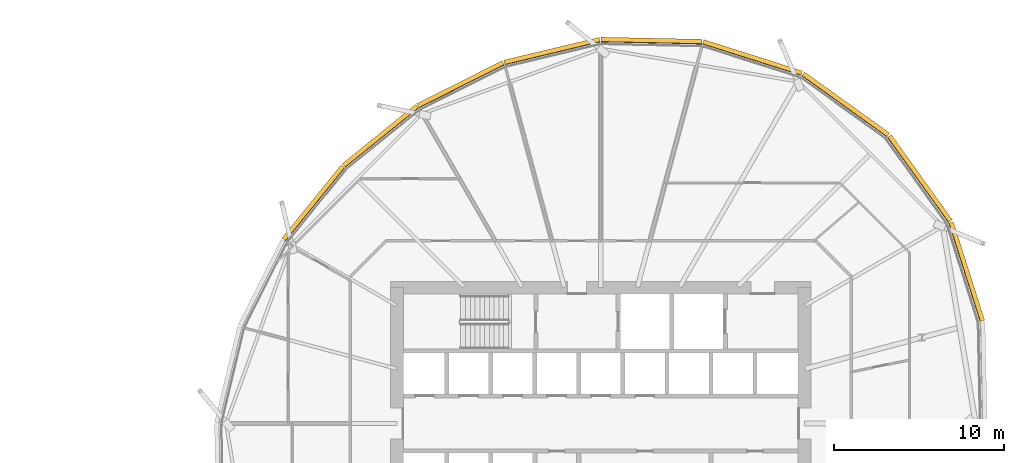
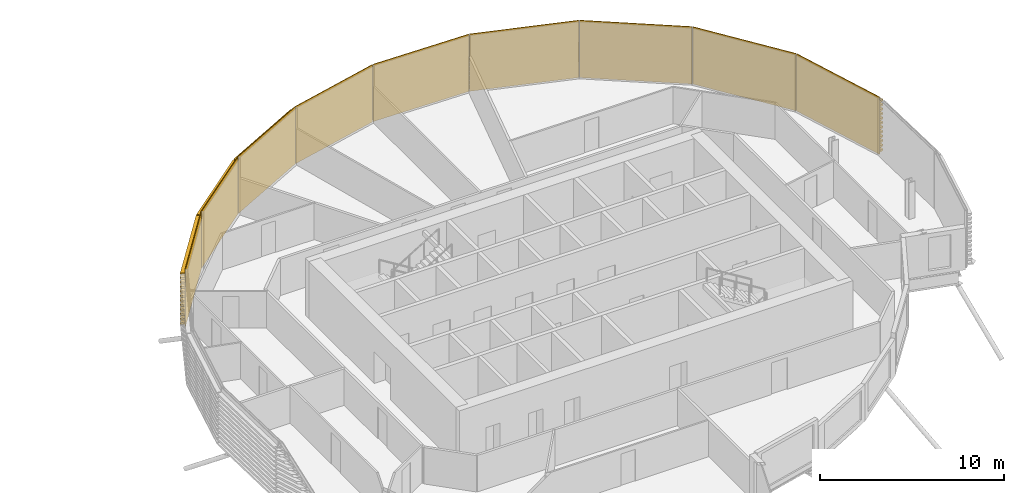
# One storey, part 40 of 40: 9 coverings.
"""IFC4 building model written with IfcOpenShell, lengths in metres."""

import ifcopenshell
import ifcopenshell.guid

model = None  # the IFC model being written
_history = None  # IfcOwnerHistory: only IFC2X3 demands one
_inside = {}  # id of a spatial element -> (the spatial element, [elements in it])
_under = {}  # id of a project, library or spatial element -> (it, [spatial elements below it])
_declared = {}  # id of a project -> (the project, [libraries it declares])
_typed = {}  # id of a type object -> (the type object, [elements of that type])
_made_of = {}  # id of a material, layer set ... -> (it, [elements and type objects made of it])


def new_model(schema):
    """Start an empty IFC model of exactly this schema.

    Asked for "IFC4X3", IfcOpenShell would pick the latest addendum, in which some entities
    have other attributes; the version numbers below select the first issue.
    IFC2X3 requires an IfcOwnerHistory on every rooted entity: one is made here for all.
    """
    global model, _history
    if schema == "IFC4X3":
        model = ifcopenshell.file(schema_version=(4, 3, 0, 0))
    else:
        model = ifcopenshell.file(schema=schema)
    _inside.clear()
    _under.clear()
    _declared.clear()
    _typed.clear()
    _made_of.clear()
    _history = None
    if model.schema == "IFC2X3":
        org = make("IfcOrganization", Name="unknown")
        user = make(
            "IfcPersonAndOrganization",
            ThePerson=make("IfcPerson", FamilyName="unknown"),
            TheOrganization=org,
        )
        app = make(
            "IfcApplication",
            ApplicationDeveloper=org,
            Version="unknown",
            ApplicationFullName="unknown",
            ApplicationIdentifier="unknown",
        )
        _history = make(
            "IfcOwnerHistory",
            OwningUser=user,
            OwningApplication=app,
            ChangeAction="ADDED",
            CreationDate=0,
        )
    return model


def make(cls, **values):
    """One entity of the class cls with the attributes given. An attribute that is None is left unset."""
    return model.create_entity(
        cls, **{name: value for name, value in values.items() if value is not None}
    )


def rooted(cls, **values):
    """An entity with a GlobalId (a new one), such as an element, a storey or a relation."""
    return make(cls, GlobalId=ifcopenshell.guid.new(), OwnerHistory=_history, **values)


def si_unit(unit_type, name, prefix=None):
    """IfcSIUnit, for example si_unit("LENGTHUNIT", "METRE", prefix="MILLI")."""
    return make("IfcSIUnit", UnitType=unit_type, Prefix=prefix, Name=name)


def assignment(units):
    """IfcUnitAssignment: the units of a project."""
    return None if units is None else make("IfcUnitAssignment", Units=units)


def point(xyz):
    """IfcCartesianPoint."""
    return None if xyz is None else make("IfcCartesianPoint", Coordinates=xyz)


def direction(xyz):
    """IfcDirection."""
    return None if xyz is None else make("IfcDirection", DirectionRatios=xyz)


def frame(location, z_axis=None, x_axis=None):
    """IfcAxis2Placement3D, a coordinate frame: its origin and axes. An axis left out is left unset."""
    return make(
        "IfcAxis2Placement3D",
        Location=point(location),
        Axis=direction(z_axis),
        RefDirection=direction(x_axis),
    )


def origin():
    """The frame at (0, 0, 0) with its axes left unset."""
    return frame((0.0, 0.0, 0.0))


def place(relative_to, where):
    """IfcLocalPlacement: puts the frame where relative to a parent placement (None: the world)."""
    return make(
        "IfcLocalPlacement", PlacementRelTo=relative_to, RelativePlacement=where
    )


def context(
    kind, dimensions, precision=None, world=None, true_north=None, identifier=None
):
    """IfcGeometricRepresentationContext, for example the 3D "Model" context."""
    return make(
        "IfcGeometricRepresentationContext",
        ContextIdentifier=identifier,
        ContextType=kind,
        CoordinateSpaceDimension=dimensions,
        Precision=precision,
        WorldCoordinateSystem=world,
        TrueNorth=true_north,
    )


def subcontext(parent, identifier, kind, view, scale=None):
    """IfcGeometricRepresentationSubContext, for example "Body" below "Model"."""
    return make(
        "IfcGeometricRepresentationSubContext",
        ContextIdentifier=identifier,
        ContextType=kind,
        ParentContext=parent,
        TargetScale=scale,
        TargetView=view,
    )


def project(units=None, contexts=None):
    """IfcProject with its units and contexts."""
    return rooted(
        "IfcProject",
        Name="project",
        RepresentationContexts=contexts,
        UnitsInContext=assignment(units),
    )


def spatial(cls, under=None, at=None, **own):
    """A site, building, storey or space (cls), placed at a placement, below another one or the project."""
    s = rooted(cls, ObjectPlacement=at, **own)
    if under is not None:
        _under.setdefault(under.id(), (under, []))[1].append(s)
    return s


def polyline(points):
    """IfcPolyline through the points."""
    return make("IfcPolyline", Points=[point(p) for p in points])


def outline(outer, holes=None, kind="AREA"):
    """IfcArbitraryClosedProfileDef: a profile drawn as a closed curve; with holes, ...WithVoids."""
    if holes is None:
        return make("IfcArbitraryClosedProfileDef", ProfileType=kind, OuterCurve=outer)
    return make(
        "IfcArbitraryProfileDefWithVoids",
        ProfileType=kind,
        OuterCurve=outer,
        InnerCurves=holes,
    )


def extrude(swept, where, along, depth):
    """IfcExtrudedAreaSolid: the profile swept, set in the frame where, extruded along a direction by depth."""
    return make(
        "IfcExtrudedAreaSolid",
        SweptArea=swept,
        Position=where,
        ExtrudedDirection=direction(along),
        Depth=depth,
    )


def shape(context_of_items, identifier, shape_type, items):
    """IfcShapeRepresentation: the items that make up one representation, for example the "Body"."""
    return make(
        "IfcShapeRepresentation",
        ContextOfItems=context_of_items,
        RepresentationIdentifier=identifier,
        RepresentationType=shape_type,
        Items=items,
    )


def material(Name=None, Category=None):
    """IfcMaterial."""
    return make("IfcMaterial", Name=Name, Category=Category)


def material_profile(
    of_material, cross_section, Name=None, Category=None, Priority=None
):
    """IfcMaterialProfile: a cross section and its material."""
    return make(
        "IfcMaterialProfile",
        Name=Name,
        Material=of_material,
        Profile=cross_section,
        Priority=Priority,
        Category=Category,
    )


def profile_set(profiles, Name=None, composite=None):
    """IfcMaterialProfileSet."""
    return make(
        "IfcMaterialProfileSet",
        Name=Name,
        MaterialProfiles=profiles,
        CompositeProfile=composite,
    )


def made_of(thing, what):
    """Note that an element or type object is made of a material, layer set ...; save() writes the relation."""
    if what is not None:
        _made_of.setdefault(what.id(), (what, []))[1].append(thing)
    return thing


def type_object(cls, material=None, **own):
    """A type object (cls), such as IfcWallType, which elements share."""
    return made_of(rooted(cls, **own), material)


def element(
    cls,
    number,
    at=None,
    inside=None,
    cuts=None,
    type_object=None,
    material=None,
    context=None,
    identifier="Body",
    shape_type=None,
    held_by="IfcProductDefinitionShape",
    body=None,
    shapes=None,
    **own,
):
    """One element of the class cls, such as IfcWall. Its Tag is "e" and its number.

    at: its placement. inside: the storey or other place that contains it. cuts: it is an
    opening in that element (IfcRelVoidsElement). A single representation is given by context,
    identifier, shape_type and body (its items); several are given by shapes. held_by: the class
    of the entity that holds the representations. save() writes the other relations.
    """
    e = rooted(cls, Tag="e%d" % number, ObjectPlacement=at, **own)
    if body is not None:
        shapes = [shape(context, identifier, shape_type, body)]
    if shapes is not None:
        e.Representation = make(held_by, Representations=shapes)
    if inside is not None:
        _inside.setdefault(inside.id(), (inside, []))[1].append(e)
    if cuts is not None:
        rooted(
            "IfcRelVoidsElement", RelatingBuildingElement=cuts, RelatedOpeningElement=e
        )
    if type_object is not None:
        _typed.setdefault(type_object.id(), (type_object, []))[1].append(e)
    return made_of(e, material)


def aggregate(whole, parts):
    """IfcRelAggregates: a whole, such as a stair, and the parts it consists of."""
    return rooted("IfcRelAggregates", RelatingObject=whole, RelatedObjects=parts)


def save(model, path):
    """Write the relations noted so far, then the file.

    IfcRelAggregates (storeys below a building ...), IfcRelContainedInSpatialStructure (elements
    in a storey), IfcRelDefinesByType, IfcRelAssociatesMaterial and IfcRelDeclares: one each for
    every whole, place, type object, material and project.
    """
    for whole, parts in _under.values():
        aggregate(whole, parts)
    for where, things in _inside.values():
        rooted(
            "IfcRelContainedInSpatialStructure",
            RelatedElements=things,
            RelatingStructure=where,
        )
    for kind, things in _typed.values():
        rooted("IfcRelDefinesByType", RelatedObjects=things, RelatingType=kind)
    for what, things in _made_of.values():
        rooted("IfcRelAssociatesMaterial", RelatedObjects=things, RelatingMaterial=what)
    for by, libraries in _declared.values():
        rooted("IfcRelDeclares", RelatingContext=by, RelatedDefinitions=libraries)
    model.write(path)


model = new_model("IFC4")

# Units and contexts
model_context = context("Model", 3, precision=1e-05, world=origin(), true_north=direction((0.0, 1.0)))
body_context = subcontext(model_context, "Body", "Model", "MODEL_VIEW")
ifc_project = project(units=[si_unit("LENGTHUNIT", "METRE"), si_unit("AREAUNIT", "SQUARE_METRE"), si_unit("VOLUMEUNIT", "CUBIC_METRE"), si_unit("PLANEANGLEUNIT", "RADIAN"), si_unit("MASSUNIT", "GRAM", prefix="KILO")], contexts=[model_context])

# Site, building, storey
site_placement = place(None, origin())
site = spatial("IfcSite", under=ifc_project, at=site_placement, CompositionType="ELEMENT")
building_placement = place(site_placement, origin())
building = spatial("IfcBuilding", under=site, at=building_placement, Name="Rimbun Link Towers", CompositionType="ELEMENT")
storey_placement = place(building_placement, frame((0.0, 0.0, 89.199951171875)))
storey = spatial("IfcBuildingStorey", under=building, at=storey_placement, Name="L21", CompositionType="ELEMENT", Elevation=89.199951171875)

# Coverings
ifc_material = material(Name="Terracotta", Category="masonry")
ifc_material_profile = material_profile(ifc_material, outline(polyline([(0.123046875, 0.0), (0.1630859375, 0.0), (0.1630859375, 0.10009765625), (0.423095703125, 0.10009765625), (0.423095703125, 0.219970703125), (0.1630859375, 0.219970703125), (0.1630859375, 0.39990234375), (0.423095703125, 0.39990234375), (0.423095703125, 0.52001953125), (0.1630859375, 0.52001953125), (0.1630859375, 0.699951171875), (0.423095703125, 0.699951171875), (0.423095703125, 0.820068359375), (0.1630859375, 0.820068359375), (0.1630859375, 1.0), (0.423095703125, 1.0), (0.423095703125, 1.1201171875), (0.1630859375, 1.1201171875), (0.1630859375, 1.300048828125), (0.423095703125, 1.300048828125), (0.423095703125, 1.419921875), (0.1630859375, 1.419921875), (0.1630859375, 1.60009765625), (0.423095703125, 1.60009765625), (0.423095703125, 1.719970703125), (0.1630859375, 1.719970703125), (0.1630859375, 1.89990234375), (0.423095703125, 1.89990234375), (0.423095703125, 2.02001953125), (0.1630859375, 2.02001953125), (0.1630859375, 2.199951171875), (0.423095703125, 2.199951171875), (0.423095703125, 2.320068359375), (0.1630859375, 2.320068359375), (0.1630859375, 2.5), (0.423095703125, 2.5), (0.423095703125, 2.6201171875), (0.1630859375, 2.6201171875), (0.1630859375, 2.800048828125), (0.423095703125, 2.800048828125), (0.423095703125, 2.919921875), (0.1630859375, 2.919921875), (0.1630859375, 3.10009765625), (0.423095703125, 3.10009765625), (0.423095703125, 3.219970703125), (0.1630859375, 3.219970703125), (0.1630859375, 3.39990234375), (0.423095703125, 3.39990234375), (0.423095703125, 3.52001953125), (0.1630859375, 3.52001953125), (0.1630859375, 3.800048828125), (0.123046875, 3.800048828125), (0.123046875, 0.0)])), Name="BAGUETTE 120X300")
ifc_profile_set = profile_set([ifc_material_profile], Name="Terracotta")
covering_type = type_object("IfcCoveringType", Name="TERRACOTTA BAGUETTE 120X300 H3800", PredefinedType="CLADDING", material=ifc_profile_set)
covering_1_placement = place(storey_placement, frame((43.503173828125, 20.357177734375, 0.0), z_axis=(0.812484837994, -0.582982322228, 0.0), x_axis=(0.582982322228, 0.812484837994, 0.0)))
element("IfcCovering", 1, at=covering_1_placement, inside=storey, type_object=covering_type, Name="TERRACOTTA BAGUETTE", PredefinedType="CLADDING", context=body_context, shape_type="SweptSolid", body=[
    extrude(outline(polyline([(0.123046875, 0.0), (0.1630859375, 0.0), (0.1630859375, 0.10009765625), (0.423095703125, 0.10009765625), (0.423095703125, 0.219970703125), (0.1630859375, 0.219970703125), (0.1630859375, 0.39990234375), (0.423095703125, 0.39990234375), (0.423095703125, 0.52001953125), (0.1630859375, 0.52001953125), (0.1630859375, 0.699951171875), (0.423095703125, 0.699951171875), (0.423095703125, 0.820068359375), (0.1630859375, 0.820068359375), (0.1630859375, 1.0), (0.423095703125, 1.0), (0.423095703125, 1.1201171875), (0.1630859375, 1.1201171875), (0.1630859375, 1.300048828125), (0.423095703125, 1.300048828125), (0.423095703125, 1.419921875), (0.1630859375, 1.419921875), (0.1630859375, 1.60009765625), (0.423095703125, 1.60009765625), (0.423095703125, 1.719970703125), (0.1630859375, 1.719970703125), (0.1630859375, 1.89990234375), (0.423095703125, 1.89990234375), (0.423095703125, 2.02001953125), (0.1630859375, 2.02001953125), (0.1630859375, 2.199951171875), (0.423095703125, 2.199951171875), (0.423095703125, 2.320068359375), (0.1630859375, 2.320068359375), (0.1630859375, 2.5), (0.423095703125, 2.5), (0.423095703125, 2.6201171875), (0.1630859375, 2.6201171875), (0.1630859375, 2.800048828125), (0.423095703125, 2.800048828125), (0.423095703125, 2.919921875), (0.1630859375, 2.919921875), (0.1630859375, 3.10009765625), (0.423095703125, 3.10009765625), (0.423095703125, 3.219970703125), (0.1630859375, 3.219970703125), (0.1630859375, 3.39990234375), (0.423095703125, 3.39990234375), (0.423095703125, 3.52001953125), (0.1630859375, 3.52001953125), (0.1630859375, 3.800048828125), (0.123046875, 3.800048828125), (0.123046875, 0.0)])), origin(), (0.0, 0.0, 1.0), 6.165771484375),
])
covering_2_placement = place(storey_placement, frame((37.69921875, 22.202880859375, 0.0), z_axis=(0.952973676239, -0.303053085112, 0.0), x_axis=(0.303053085112, 0.952973676239, 0.0)))
element("IfcCovering", 2, at=covering_2_placement, inside=storey, type_object=covering_type, Name="TERRACOTTA BAGUETTE", PredefinedType="CLADDING", context=body_context, shape_type="SweptSolid", body=[
    extrude(outline(polyline([(0.123046875, 0.0), (0.1630859375, 0.0), (0.1630859375, 0.10009765625), (0.423095703125, 0.10009765625), (0.423095703125, 0.219970703125), (0.1630859375, 0.219970703125), (0.1630859375, 0.39990234375), (0.423095703125, 0.39990234375), (0.423095703125, 0.52001953125), (0.1630859375, 0.52001953125), (0.1630859375, 0.699951171875), (0.423095703125, 0.699951171875), (0.423095703125, 0.820068359375), (0.1630859375, 0.820068359375), (0.1630859375, 1.0), (0.423095703125, 1.0), (0.423095703125, 1.1201171875), (0.1630859375, 1.1201171875), (0.1630859375, 1.300048828125), (0.423095703125, 1.300048828125), (0.423095703125, 1.419921875), (0.1630859375, 1.419921875), (0.1630859375, 1.60009765625), (0.423095703125, 1.60009765625), (0.423095703125, 1.719970703125), (0.1630859375, 1.719970703125), (0.1630859375, 1.89990234375), (0.423095703125, 1.89990234375), (0.423095703125, 2.02001953125), (0.1630859375, 2.02001953125), (0.1630859375, 2.199951171875), (0.423095703125, 2.199951171875), (0.423095703125, 2.320068359375), (0.1630859375, 2.320068359375), (0.1630859375, 2.5), (0.423095703125, 2.5), (0.423095703125, 2.6201171875), (0.1630859375, 2.6201171875), (0.1630859375, 2.800048828125), (0.423095703125, 2.800048828125), (0.423095703125, 2.919921875), (0.1630859375, 2.919921875), (0.1630859375, 3.10009765625), (0.423095703125, 3.10009765625), (0.423095703125, 3.219970703125), (0.1630859375, 3.219970703125), (0.1630859375, 3.39990234375), (0.423095703125, 3.39990234375), (0.423095703125, 3.52001953125), (0.1630859375, 3.52001953125), (0.1630859375, 3.800048828125), (0.123046875, 3.800048828125), (0.123046875, 0.0)])), origin(), (0.0, 0.0, 1.0), 6.09033203125),
])
covering_3_placement = place(storey_placement, frame((31.75, 22.328369140625, 0.0), z_axis=(0.999777611882, -0.021088546147, 0.0), x_axis=(0.021088546147, 0.999777611882, 0.0)))
element("IfcCovering", 3, at=covering_3_placement, inside=storey, type_object=covering_type, Name="TERRACOTTA BAGUETTE", PredefinedType="CLADDING", context=body_context, shape_type="SweptSolid", body=[
    extrude(outline(polyline([(0.123046875, 0.0), (0.1630859375, 0.0), (0.1630859375, 0.10009765625), (0.423095703125, 0.10009765625), (0.423095703125, 0.219970703125), (0.1630859375, 0.219970703125), (0.1630859375, 0.39990234375), (0.423095703125, 0.39990234375), (0.423095703125, 0.52001953125), (0.1630859375, 0.52001953125), (0.1630859375, 0.699951171875), (0.423095703125, 0.699951171875), (0.423095703125, 0.820068359375), (0.1630859375, 0.820068359375), (0.1630859375, 1.0), (0.423095703125, 1.0), (0.423095703125, 1.1201171875), (0.1630859375, 1.1201171875), (0.1630859375, 1.300048828125), (0.423095703125, 1.300048828125), (0.423095703125, 1.419921875), (0.1630859375, 1.419921875), (0.1630859375, 1.60009765625), (0.423095703125, 1.60009765625), (0.423095703125, 1.719970703125), (0.1630859375, 1.719970703125), (0.1630859375, 1.89990234375), (0.423095703125, 1.89990234375), (0.423095703125, 2.02001953125), (0.1630859375, 2.02001953125), (0.1630859375, 2.199951171875), (0.423095703125, 2.199951171875), (0.423095703125, 2.320068359375), (0.1630859375, 2.320068359375), (0.1630859375, 2.5), (0.423095703125, 2.5), (0.423095703125, 2.6201171875), (0.1630859375, 2.6201171875), (0.1630859375, 2.800048828125), (0.423095703125, 2.800048828125), (0.423095703125, 2.919921875), (0.1630859375, 2.919921875), (0.1630859375, 3.10009765625), (0.423095703125, 3.10009765625), (0.423095703125, 3.219970703125), (0.1630859375, 3.219970703125), (0.1630859375, 3.39990234375), (0.423095703125, 3.39990234375), (0.423095703125, 3.52001953125), (0.1630859375, 3.52001953125), (0.1630859375, 3.800048828125), (0.123046875, 3.800048828125), (0.123046875, 0.0)])), origin(), (0.0, 0.0, 1.0), 5.950439453125),
])
covering_4_placement = place(storey_placement, frame((26.12744140625, 20.983642578125, 0.0), z_axis=(0.972570999992, 0.232606212243, 0.0), x_axis=(-0.232606212243, 0.972570999992, 0.0)))
element("IfcCovering", 4, at=covering_4_placement, inside=storey, type_object=covering_type, Name="TERRACOTTA BAGUETTE", PredefinedType="CLADDING", context=body_context, shape_type="SweptSolid", body=[
    extrude(outline(polyline([(0.123046875, 0.0), (0.1630859375, 0.0), (0.1630859375, 0.10009765625), (0.423095703125, 0.10009765625), (0.423095703125, 0.219970703125), (0.1630859375, 0.219970703125), (0.1630859375, 0.39990234375), (0.423095703125, 0.39990234375), (0.423095703125, 0.52001953125), (0.1630859375, 0.52001953125), (0.1630859375, 0.699951171875), (0.423095703125, 0.699951171875), (0.423095703125, 0.820068359375), (0.1630859375, 0.820068359375), (0.1630859375, 1.0), (0.423095703125, 1.0), (0.423095703125, 1.1201171875), (0.1630859375, 1.1201171875), (0.1630859375, 1.300048828125), (0.423095703125, 1.300048828125), (0.423095703125, 1.419921875), (0.1630859375, 1.419921875), (0.1630859375, 1.60009765625), (0.423095703125, 1.60009765625), (0.423095703125, 1.719970703125), (0.1630859375, 1.719970703125), (0.1630859375, 1.89990234375), (0.423095703125, 1.89990234375), (0.423095703125, 2.02001953125), (0.1630859375, 2.02001953125), (0.1630859375, 2.199951171875), (0.423095703125, 2.199951171875), (0.423095703125, 2.320068359375), (0.1630859375, 2.320068359375), (0.1630859375, 2.5), (0.423095703125, 2.5), (0.423095703125, 2.6201171875), (0.1630859375, 2.6201171875), (0.1630859375, 2.800048828125), (0.423095703125, 2.800048828125), (0.423095703125, 2.919921875), (0.1630859375, 2.919921875), (0.1630859375, 3.10009765625), (0.423095703125, 3.10009765625), (0.423095703125, 3.219970703125), (0.1630859375, 3.219970703125), (0.1630859375, 3.39990234375), (0.423095703125, 3.39990234375), (0.423095703125, 3.52001953125), (0.1630859375, 3.52001953125), (0.1630859375, 3.800048828125), (0.123046875, 3.800048828125), (0.123046875, 0.0)])), origin(), (0.0, 0.0, 1.0), 5.78125),
])
covering_5_placement = place(storey_placement, frame((21.094482421875, 18.4560546875, 0.0), z_axis=(0.893636849837, 0.448790798271, 0.0), x_axis=(-0.448790798271, 0.893636849837, 0.0)))
element("IfcCovering", 5, at=covering_5_placement, inside=storey, type_object=covering_type, Name="TERRACOTTA BAGUETTE", PredefinedType="CLADDING", context=body_context, shape_type="SweptSolid", body=[
    extrude(outline(polyline([(0.123046875, 0.0), (0.1630859375, 0.0), (0.1630859375, 0.10009765625), (0.423095703125, 0.10009765625), (0.423095703125, 0.219970703125), (0.1630859375, 0.219970703125), (0.1630859375, 0.39990234375), (0.423095703125, 0.39990234375), (0.423095703125, 0.52001953125), (0.1630859375, 0.52001953125), (0.1630859375, 0.699951171875), (0.423095703125, 0.699951171875), (0.423095703125, 0.820068359375), (0.1630859375, 0.820068359375), (0.1630859375, 1.0), (0.423095703125, 1.0), (0.423095703125, 1.1201171875), (0.1630859375, 1.1201171875), (0.1630859375, 1.300048828125), (0.423095703125, 1.300048828125), (0.423095703125, 1.419921875), (0.1630859375, 1.419921875), (0.1630859375, 1.60009765625), (0.423095703125, 1.60009765625), (0.423095703125, 1.719970703125), (0.1630859375, 1.719970703125), (0.1630859375, 1.89990234375), (0.423095703125, 1.89990234375), (0.423095703125, 2.02001953125), (0.1630859375, 2.02001953125), (0.1630859375, 2.199951171875), (0.423095703125, 2.199951171875), (0.423095703125, 2.320068359375), (0.1630859375, 2.320068359375), (0.1630859375, 2.5), (0.423095703125, 2.5), (0.423095703125, 2.6201171875), (0.1630859375, 2.6201171875), (0.1630859375, 2.800048828125), (0.423095703125, 2.800048828125), (0.423095703125, 2.919921875), (0.1630859375, 2.919921875), (0.1630859375, 3.10009765625), (0.423095703125, 3.10009765625), (0.423095703125, 3.219970703125), (0.1630859375, 3.219970703125), (0.1630859375, 3.39990234375), (0.423095703125, 3.39990234375), (0.423095703125, 3.52001953125), (0.1630859375, 3.52001953125), (0.1630859375, 3.800048828125), (0.123046875, 3.800048828125), (0.123046875, 0.0)])), origin(), (0.0, 0.0, 1.0), 5.632080078125),
])
for number, where, z_axis, x_axis, name in (
    (6, (16.783447265625, 14.966552734375, 0.0), (0.777278697501, 0.629156440332, 0.0), (-0.629156440332, 0.777278697501, 0.0), "TERRACOTTA BAGUETTE"),
    (7, (13.2939453125, 10.655517578125, 0.0), (0.629156440332, 0.777278697501, 0.0), (-0.777278697501, 0.629156440332, 0.0), "TERRACOTTA BAGUETTE"),
):
    element("IfcCovering", number, at=place(storey_placement, frame(where, z_axis=z_axis, x_axis=x_axis)), inside=storey, type_object=covering_type, Name=name, PredefinedType="CLADDING", context=body_context, shape_type="SweptSolid", body=[
        extrude(outline(polyline([(0.123046875, 0.0), (0.1630859375, 0.0), (0.1630859375, 0.10009765625), (0.423095703125, 0.10009765625), (0.423095703125, 0.219970703125), (0.1630859375, 0.219970703125), (0.1630859375, 0.39990234375), (0.423095703125, 0.39990234375), (0.423095703125, 0.52001953125), (0.1630859375, 0.52001953125), (0.1630859375, 0.699951171875), (0.423095703125, 0.699951171875), (0.423095703125, 0.820068359375), (0.1630859375, 0.820068359375), (0.1630859375, 1.0), (0.423095703125, 1.0), (0.423095703125, 1.1201171875), (0.1630859375, 1.1201171875), (0.1630859375, 1.300048828125), (0.423095703125, 1.300048828125), (0.423095703125, 1.419921875), (0.1630859375, 1.419921875), (0.1630859375, 1.60009765625), (0.423095703125, 1.60009765625), (0.423095703125, 1.719970703125), (0.1630859375, 1.719970703125), (0.1630859375, 1.89990234375), (0.423095703125, 1.89990234375), (0.423095703125, 2.02001953125), (0.1630859375, 2.02001953125), (0.1630859375, 2.199951171875), (0.423095703125, 2.199951171875), (0.423095703125, 2.320068359375), (0.1630859375, 2.320068359375), (0.1630859375, 2.5), (0.423095703125, 2.5), (0.423095703125, 2.6201171875), (0.1630859375, 2.6201171875), (0.1630859375, 2.800048828125), (0.423095703125, 2.800048828125), (0.423095703125, 2.919921875), (0.1630859375, 2.919921875), (0.1630859375, 3.10009765625), (0.423095703125, 3.10009765625), (0.423095703125, 3.219970703125), (0.1630859375, 3.219970703125), (0.1630859375, 3.39990234375), (0.423095703125, 3.39990234375), (0.423095703125, 3.52001953125), (0.1630859375, 3.52001953125), (0.1630859375, 3.800048828125), (0.123046875, 3.800048828125), (0.123046875, 0.0)])), origin(), (0.0, 0.0, 1.0), 5.54638671875),
    ])
covering_6_placement = place(storey_placement, frame((52.107177734375, 11.753173828125, 0.0), z_axis=(0.303053085112, -0.952973676239, 0.0), x_axis=(0.952973676239, 0.303053085112, 0.0)))
element("IfcCovering", 8, at=covering_6_placement, inside=storey, type_object=covering_type, Name="TERRACOTTA BAGUETTE", PredefinedType="CLADDING", context=body_context, shape_type="SweptSolid", body=[
    extrude(outline(polyline([(0.123046875, 0.0), (0.1630859375, 0.0), (0.1630859375, 0.10009765625), (0.423095703125, 0.10009765625), (0.423095703125, 0.219970703125), (0.1630859375, 0.219970703125), (0.1630859375, 0.39990234375), (0.423095703125, 0.39990234375), (0.423095703125, 0.52001953125), (0.1630859375, 0.52001953125), (0.1630859375, 0.699951171875), (0.423095703125, 0.699951171875), (0.423095703125, 0.820068359375), (0.1630859375, 0.820068359375), (0.1630859375, 1.0), (0.423095703125, 1.0), (0.423095703125, 1.1201171875), (0.1630859375, 1.1201171875), (0.1630859375, 1.300048828125), (0.423095703125, 1.300048828125), (0.423095703125, 1.419921875), (0.1630859375, 1.419921875), (0.1630859375, 1.60009765625), (0.423095703125, 1.60009765625), (0.423095703125, 1.719970703125), (0.1630859375, 1.719970703125), (0.1630859375, 1.89990234375), (0.423095703125, 1.89990234375), (0.423095703125, 2.02001953125), (0.1630859375, 2.02001953125), (0.1630859375, 2.199951171875), (0.423095703125, 2.199951171875), (0.423095703125, 2.320068359375), (0.1630859375, 2.320068359375), (0.1630859375, 2.5), (0.423095703125, 2.5), (0.423095703125, 2.6201171875), (0.1630859375, 2.6201171875), (0.1630859375, 2.800048828125), (0.423095703125, 2.800048828125), (0.423095703125, 2.919921875), (0.1630859375, 2.919921875), (0.1630859375, 3.10009765625), (0.423095703125, 3.10009765625), (0.423095703125, 3.219970703125), (0.1630859375, 3.219970703125), (0.1630859375, 3.39990234375), (0.423095703125, 3.39990234375), (0.423095703125, 3.52001953125), (0.1630859375, 3.52001953125), (0.1630859375, 3.800048828125), (0.123046875, 3.800048828125), (0.123046875, 0.0)])), origin(), (0.0, 0.0, 1.0), 6.09033203125),
])
covering_7_placement = place(storey_placement, frame((48.5126953125, 16.7626953125, 0.0), z_axis=(0.582982322228, -0.812484837994, 0.0), x_axis=(0.812484837994, 0.582982322228, 0.0)))
element("IfcCovering", 9, at=covering_7_placement, inside=storey, type_object=covering_type, Name="TERRACOTTA BAGUETTE", PredefinedType="CLADDING", context=body_context, shape_type="SweptSolid", body=[
    extrude(outline(polyline([(0.123046875, 0.0), (0.1630859375, 0.0), (0.1630859375, 0.10009765625), (0.423095703125, 0.10009765625), (0.423095703125, 0.219970703125), (0.1630859375, 0.219970703125), (0.1630859375, 0.39990234375), (0.423095703125, 0.39990234375), (0.423095703125, 0.52001953125), (0.1630859375, 0.52001953125), (0.1630859375, 0.699951171875), (0.423095703125, 0.699951171875), (0.423095703125, 0.820068359375), (0.1630859375, 0.820068359375), (0.1630859375, 1.0), (0.423095703125, 1.0), (0.423095703125, 1.1201171875), (0.1630859375, 1.1201171875), (0.1630859375, 1.300048828125), (0.423095703125, 1.300048828125), (0.423095703125, 1.419921875), (0.1630859375, 1.419921875), (0.1630859375, 1.60009765625), (0.423095703125, 1.60009765625), (0.423095703125, 1.719970703125), (0.1630859375, 1.719970703125), (0.1630859375, 1.89990234375), (0.423095703125, 1.89990234375), (0.423095703125, 2.02001953125), (0.1630859375, 2.02001953125), (0.1630859375, 2.199951171875), (0.423095703125, 2.199951171875), (0.423095703125, 2.320068359375), (0.1630859375, 2.320068359375), (0.1630859375, 2.5), (0.423095703125, 2.5), (0.423095703125, 2.6201171875), (0.1630859375, 2.6201171875), (0.1630859375, 2.800048828125), (0.423095703125, 2.800048828125), (0.423095703125, 2.919921875), (0.1630859375, 2.919921875), (0.1630859375, 3.10009765625), (0.423095703125, 3.10009765625), (0.423095703125, 3.219970703125), (0.1630859375, 3.219970703125), (0.1630859375, 3.39990234375), (0.423095703125, 3.39990234375), (0.423095703125, 3.52001953125), (0.1630859375, 3.52001953125), (0.1630859375, 3.800048828125), (0.123046875, 3.800048828125), (0.123046875, 0.0)])), origin(), (0.0, 0.0, 1.0), 6.165771484375),
])

save(model, "model.ifc")
